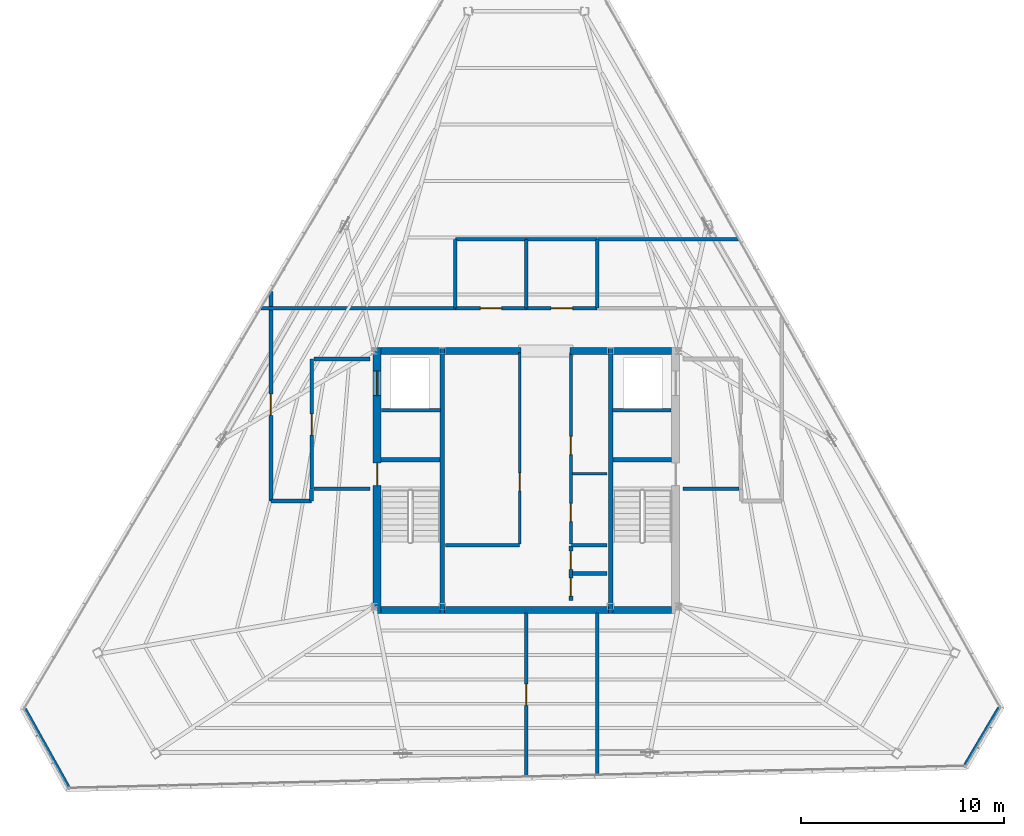
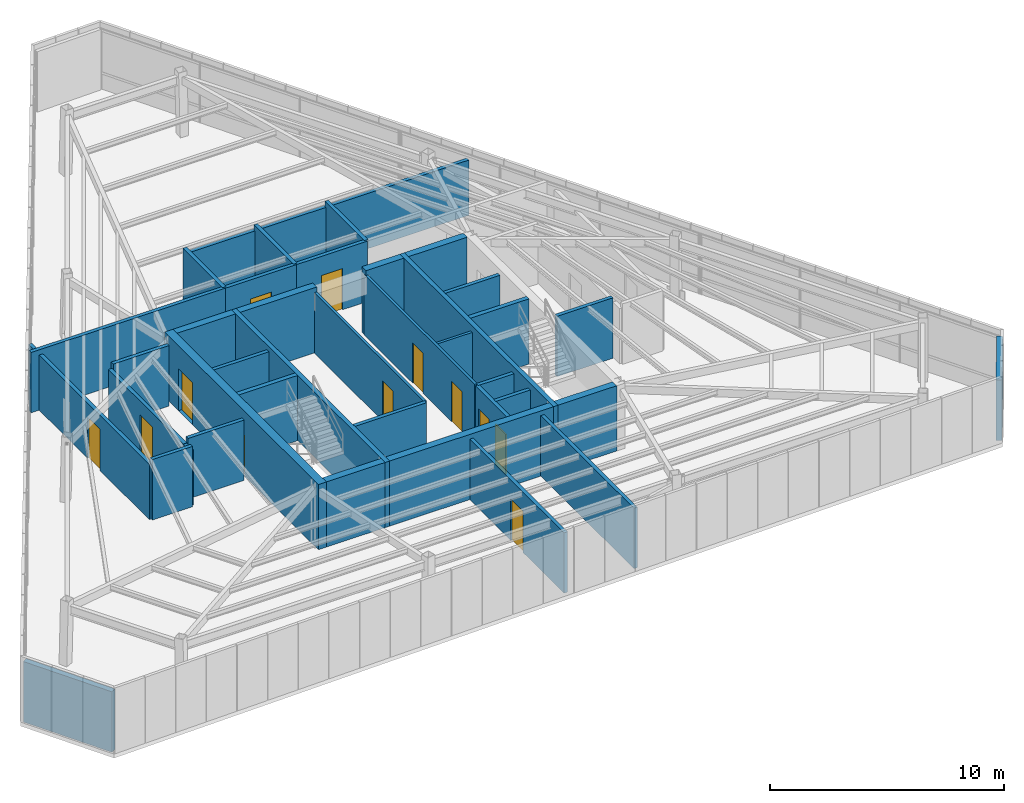
# One storey, part 40 of 44: 41 walls, 12 doors, 12 openings.
"""IFC4 building model written with IfcOpenShell, lengths in metres."""

from ifc_helpers import new_model, si_unit, direction, frame, frame_2d, origin, place, context, subcontext, project, spatial, rectangle, extrude, material, layer, layer_set, type_object, element, fill, save


model = new_model("IFC4")

# Units and contexts
model_context = context("Model", 3, precision=1e-05, world=origin(), true_north=direction((0.0, 1.0)))
body_context = subcontext(model_context, "Body", "Model", "MODEL_VIEW")
ifc_project = project(units=[si_unit("LENGTHUNIT", "METRE"), si_unit("AREAUNIT", "SQUARE_METRE"), si_unit("VOLUMEUNIT", "CUBIC_METRE"), si_unit("PLANEANGLEUNIT", "RADIAN"), si_unit("MASSUNIT", "GRAM", prefix="KILO")], contexts=[model_context])

# Site, building, storey
site_placement = place(None, origin())
site = spatial("IfcSite", under=ifc_project, at=site_placement, CompositionType="ELEMENT")
building_placement = place(site_placement, origin())
building = spatial("IfcBuilding", under=site, at=building_placement, Name="Caelisora Broadcast Tower", CompositionType="ELEMENT")
storey_placement = place(building_placement, frame((0.0, 0.0, 296.60009765625)))
storey = spatial("IfcBuildingStorey", under=building, at=storey_placement, Name="L78", CompositionType="ELEMENT", Elevation=296.60009765625)

# Wall, openings, doors
ifc_material_1 = material(Name="Concrete 40 MPa (AS 3600 N40)", Category="concrete")
ifc_layer_1 = layer(ifc_material_1, 0.39990234375, Name="Concrete 40 MPa (AS 3600 N40)")
ifc_layer_set_1 = layer_set([ifc_layer_1], Name="Concrete 40 MPa (AS 3600 N40)")
wall_type_1 = type_object("IfcWallType", Name="CW3", PredefinedType="SHEAR", material=ifc_layer_set_1)
wall_1_placement = place(storey_placement, frame((30.639892578125, 17.050048828125, 0.0), z_axis=(0.0, 0.0, 1.0), x_axis=(0.0, 1.0, 0.0)))
wall_1 = element("IfcWall", 1, at=wall_1_placement, inside=storey, type_object=wall_type_1, Name="L78 core shear wall CW3", PredefinedType="SHEAR", context=body_context, shape_type="SweptSolid", body=[
    extrude(rectangle(XDim=13.125, YDim=0.39990234375, at=frame_2d((6.5625, 0.0))), origin(), (0.0, 0.0, 1.0), 3.39990234375),
])
opening_1_placement = place(wall_1_placement, frame((6.300048828125, 0.0, 0.0)))
opening_1 = element("IfcOpeningElement", 2, at=opening_1_placement, cuts=wall_1, Name="Opening FD04", PredefinedType="OPENING", context=body_context, shape_type="SweptSolid", body=[
    extrude(rectangle(XDim=1.1201171875, YDim=2.14990234375, at=frame_2d((0.56005859375, 1.074951171875))), frame((0.0, 0.2119140625, 0.0), z_axis=(0.0, -1.0, 0.0), x_axis=(1.0, 0.0, 0.0)), (0.0, 0.0, 1.0), 0.423828125),
])
opening_2_placement = place(wall_1_placement, frame((10.75, 0.0, 0.0)))
opening_2 = element("IfcOpeningElement", 3, at=opening_2_placement, cuts=wall_1, Name="Opening LD04", PredefinedType="OPENING", context=body_context, shape_type="SweptSolid", body=[
    extrude(rectangle(XDim=1.199951171875, YDim=2.199951171875, at=frame_2d((0.60009765625, 1.10009765625))), frame((0.0, 0.2119140625, 0.0), z_axis=(0.0, -1.0, 0.0), x_axis=(1.0, 0.0, 0.0)), (0.0, 0.0, 1.0), 0.423828125),
])
ifc_material_2 = material(Name="Pressurised Fire-Isolated Stair Door", Category="steel")
door_type_1 = type_object("IfcDoorType", Name="FD04", OperationType="NOTDEFINED", PredefinedType="DOOR", material=ifc_material_2)
door_1_placement = place(opening_1_placement, origin())
door_1 = element("IfcDoor", 4, at=door_1_placement, inside=storey, type_object=door_type_1, Name="L78 door FD04 (L78-DR-ST1)", OperationType="SINGLE_SWING_LEFT", OverallHeight=2.14990234375, OverallWidth=1.1201171875, PredefinedType="DOOR", context=body_context, shape_type="SweptSolid", body=[
    extrude(rectangle(XDim=1.1201171875, YDim=2.14990234375, at=frame_2d((0.56005859375, 1.074951171875))), frame((0.0, 0.02490234375, 0.0), z_axis=(0.0, -1.0, 0.0), x_axis=(1.0, 0.0, 0.0)), (0.0, 0.0, 1.0), 0.050048828125),
])
fill(opening_1, door_1)
ifc_material_3 = material(Name="Emergency Firefighting Lift Sliding Landing Door", Category="steel")
door_type_2 = type_object("IfcDoorType", Name="LD04", OperationType="NOTDEFINED", PredefinedType="DOOR", material=ifc_material_3)
door_2_placement = place(opening_2_placement, origin())
door_2 = element("IfcDoor", 5, at=door_2_placement, inside=storey, type_object=door_type_2, Name="L78 door LD04 (L78-LD-FFL1)", OperationType="SLIDING_TO_LEFT", OverallHeight=2.199951171875, OverallWidth=1.199951171875, PredefinedType="DOOR", context=body_context, shape_type="SweptSolid", body=[
    extrude(rectangle(XDim=1.199951171875, YDim=2.199951171875, at=frame_2d((0.60009765625, 1.10009765625))), frame((0.0, 0.02490234375, 0.0), z_axis=(0.0, -1.0, 0.0), x_axis=(1.0, 0.0, 0.0)), (0.0, 0.0, 1.0), 0.050048828125),
])
fill(opening_2, door_2)

# Walls
ifc_layer_2 = layer(ifc_material_1, 0.35009765625, Name="Concrete 40 MPa (AS 3600 N40)")
ifc_layer_set_2 = layer_set([ifc_layer_2], Name="Concrete 40 MPa (AS 3600 N40)")
wall_type_2 = type_object("IfcWallType", Name="CW6", PredefinedType="SHEAR", material=ifc_layer_set_2)
wall_2_placement = place(storey_placement, frame((30.840087890625, 17.22509765625, 0.0), z_axis=(0.0, 0.0, 1.0), x_axis=(1.0, 0.0, 0.0)))
element("IfcWall", 6, at=wall_2_placement, inside=storey, type_object=wall_type_2, Name="L78 core shear wall CW6", PredefinedType="SHEAR", context=body_context, shape_type="SweptSolid", body=[
    extrude(rectangle(XDim=2.89990234375, YDim=0.35009765625, at=frame_2d((1.449951171875, 0.0))), origin(), (0.0, 0.0, 1.0), 3.39990234375),
])
wall_3_placement = place(storey_placement, frame((33.9599609375, 17.22509765625, 0.0), z_axis=(0.0, 0.0, 1.0), x_axis=(1.0, 0.0, 0.0)))
element("IfcWall", 7, at=wall_3_placement, inside=storey, type_object=wall_type_2, Name="L78 core shear wall CW6", PredefinedType="SHEAR", context=body_context, shape_type="SweptSolid", body=[
    extrude(rectangle(XDim=8.080078125, YDim=0.35009765625, at=frame_2d((4.0400390625, 0.0))), origin(), (0.0, 0.0, 1.0), 3.39990234375),
])
for number, where, z_axis, x_axis, name in (
    (8, (42.260009765625, 17.22509765625, 0.0), (0.0, 0.0, 1.0), (1.0, 0.0, 0.0), "L78 core shear wall CW6"),
    (9, (30.840087890625, 30.0, 0.0), (0.0, 0.0, 1.0), (1.0, 0.0, 0.0), "L78 core shear wall CW6"),
):
    element("IfcWall", number, at=place(storey_placement, frame(where, z_axis=z_axis, x_axis=x_axis)), inside=storey, type_object=wall_type_2, Name=name, PredefinedType="SHEAR", context=body_context, shape_type="SweptSolid", body=[
        extrude(rectangle(XDim=2.89990234375, YDim=0.35009765625, at=frame_2d((1.449951171875, 0.0))), origin(), (0.0, 0.0, 1.0), 3.39990234375),
    ])
wall_4_placement = place(storey_placement, frame((33.9599609375, 30.0, 0.0), z_axis=(0.0, 0.0, 1.0), x_axis=(1.0, 0.0, 0.0)))
element("IfcWall", 10, at=wall_4_placement, inside=storey, type_object=wall_type_2, Name="L78 core shear wall CW6", PredefinedType="SHEAR", context=body_context, shape_type="SweptSolid", body=[
    extrude(rectangle(XDim=3.780029296875, YDim=0.35009765625, at=frame_2d((1.89013671875, 0.0))), origin(), (0.0, 0.0, 1.0), 3.39990234375),
])
wall_5_placement = place(storey_placement, frame((40.159912109375, 30.0, 0.0), z_axis=(0.0, 0.0, 1.0), x_axis=(1.0, 0.0, 0.0)))
element("IfcWall", 11, at=wall_5_placement, inside=storey, type_object=wall_type_2, Name="L78 core shear wall CW6", PredefinedType="SHEAR", context=body_context, shape_type="SweptSolid", body=[
    extrude(rectangle(XDim=1.880126953125, YDim=0.35009765625, at=frame_2d((0.93994140625, 0.0))), origin(), (0.0, 0.0, 1.0), 3.39990234375),
])
wall_6_placement = place(storey_placement, frame((42.260009765625, 30.0, 0.0), z_axis=(0.0, 0.0, 1.0), x_axis=(1.0, 0.0, 0.0)))
element("IfcWall", 12, at=wall_6_placement, inside=storey, type_object=wall_type_2, Name="L78 core shear wall CW6", PredefinedType="SHEAR", context=body_context, shape_type="SweptSolid", body=[
    extrude(rectangle(XDim=2.89990234375, YDim=0.35009765625, at=frame_2d((1.449951171875, 0.0))), origin(), (0.0, 0.0, 1.0), 3.39990234375),
])
ifc_material_4 = material(Name="Concrete 50 MPa (AS 3600 S50)", Category="concrete")
ifc_layer_3 = layer(ifc_material_4, 0.219970703125, Name="Concrete 50 MPa (AS 3600 S50)")
ifc_layer_set_3 = layer_set([ifc_layer_3], Name="Concrete 50 MPa (AS 3600 S50)")
wall_type_3 = type_object("IfcWallType", Name="CW7", PredefinedType="SHEAR", material=ifc_layer_set_3)
for number, where, z_axis, x_axis, name in (
    (13, (33.85009765625, 17.050048828125, 0.0), (0.0, 0.0, 1.0), (0.0, 1.0, 0.0), "L78 core shear wall CW7"),
    (14, (42.14990234375, 17.050048828125, 0.0), (0.0, 0.0, 1.0), (0.0, 1.0, 0.0), "L78 core shear wall CW7"),
):
    element("IfcWall", number, at=place(storey_placement, frame(where, z_axis=z_axis, x_axis=x_axis)), inside=storey, type_object=wall_type_3, Name=name, PredefinedType="SHEAR", context=body_context, shape_type="SweptSolid", body=[
        extrude(rectangle(XDim=13.125, YDim=0.219970703125, at=frame_2d((6.5625, 0.0))), origin(), (0.0, 0.0, 1.0), 3.39990234375),
    ])
for number, where, z_axis, x_axis, name in (
    (15, (30.840087890625, 24.639892578125, 0.0), (0.0, 0.0, 1.0), (1.0, 0.0, 0.0), "L78 core shear wall CW7"),
    (16, (42.260009765625, 24.639892578125, 0.0), (0.0, 0.0, 1.0), (1.0, 0.0, 0.0), "L78 core shear wall CW7"),
):
    element("IfcWall", number, at=place(storey_placement, frame(where, z_axis=z_axis, x_axis=x_axis)), inside=storey, type_object=wall_type_3, Name=name, PredefinedType="SHEAR", context=body_context, shape_type="SweptSolid", body=[
        extrude(rectangle(XDim=2.89990234375, YDim=0.219970703125, at=frame_2d((1.449951171875, 0.0))), origin(), (0.0, 0.0, 1.0), 3.39990234375),
    ])
ifc_material_5 = material(Name="Fire-Rated Acoustic Plant Enclosure Wall", Category="masonry")
ifc_layer_4 = layer(ifc_material_5, 0.260009765625, Name="Fire-Rated Acoustic Plant Enclosure Wall")
ifc_layer_set_4 = layer_set([ifc_layer_4], Name="Fire-Rated Acoustic Plant Enclosure Wall")
wall_type_4 = type_object("IfcWallType", Name="EW2", PredefinedType="STANDARD", material=ifc_layer_set_4)
wall_7_placement = place(storey_placement, frame((61.3505859375, 12.373291015625, 0.0), z_axis=(0.0, 0.0, 1.0), x_axis=(-0.50889258799, -0.860830026131, 0.0)))
element("IfcWall", 17, at=wall_7_placement, inside=storey, type_object=wall_type_4, Name="L78 exterior envelope wall EW2", PredefinedType="STANDARD", context=body_context, shape_type="SweptSolid", body=[
    extrude(rectangle(XDim=3.274169921875, YDim=0.260009765625, at=frame_2d((1.63720703125, 0.0))), origin(), (0.0, 0.0, 1.0), 3.14990234375),
])
wall_8_placement = place(storey_placement, frame((15.37939453125, 8.460205078125, 0.0), z_axis=(0.0, 0.0, 1.0), x_axis=(-0.487211144221, 0.873284203995, 0.0)))
element("IfcWall", 18, at=wall_8_placement, inside=storey, type_object=wall_type_4, Name="L78 exterior envelope wall EW2", PredefinedType="STANDARD", context=body_context, shape_type="SweptSolid", body=[
    extrude(rectangle(XDim=4.41259765625, YDim=0.260009765625, at=frame_2d((2.206298828125, 0.0))), origin(), (0.0, 0.0, 1.0), 3.14990234375),
])

# Wall, opening, door
ifc_material_6 = material(Name="Fire-Rated Gypsum Shaft and Compartment Wall", Category="gypsum")
ifc_layer_5 = layer(ifc_material_6, 0.179931640625, Name="Fire-Rated Gypsum Shaft and Compartment Wall")
ifc_layer_set_5 = layer_set([ifc_layer_5], Name="Fire-Rated Gypsum Shaft and Compartment Wall")
wall_type_5 = type_object("IfcWallType", Name="PW2", PredefinedType="PARTITIONING", material=ifc_layer_set_5)
wall_9_placement = place(storey_placement, frame((27.419921875, 23.199951171875, 0.0), z_axis=(0.0, 0.0, 1.0), x_axis=(0.0, 1.0, 0.0)))
wall_9 = element("IfcWall", 19, at=wall_9_placement, inside=storey, type_object=wall_type_5, Name="L78 fire compartment wall PW2", PredefinedType="PARTITIONING", context=body_context, shape_type="SweptSolid", body=[
    extrude(rectangle(XDim=6.400146484375, YDim=0.179931640625, at=frame_2d((3.2001953125, 0.0))), origin(), (0.0, 0.0, 1.0), 2.878662109375),
])
opening_3_placement = place(wall_9_placement, frame((2.64990234375, 0.0, 0.0)))
opening_3 = element("IfcOpeningElement", 20, at=opening_3_placement, cuts=wall_9, Name="Opening FD02", PredefinedType="OPENING", context=body_context, shape_type="SweptSolid", body=[
    extrude(rectangle(XDim=1.050048828125, YDim=2.14990234375, at=frame_2d((0.52490234375, 1.074951171875))), frame((0.0, 0.10205078125, 0.0), z_axis=(0.0, -1.0, 0.0), x_axis=(1.0, 0.0, 0.0)), (0.0, 0.0, 1.0), 0.203857421875),
])
ifc_material_7 = material(Name="Single-Leaf Steel Fire Lobby Door", Category="steel")
door_type_3 = type_object("IfcDoorType", Name="FD02", OperationType="NOTDEFINED", PredefinedType="DOOR", material=ifc_material_7)
door_3_placement = place(opening_3_placement, origin())
door_3 = element("IfcDoor", 21, at=door_3_placement, inside=storey, type_object=door_type_3, Name="L78 door FD02 (L78-DR-P01D1)", OperationType="SINGLE_SWING_LEFT", OverallHeight=2.14990234375, OverallWidth=1.050048828125, PredefinedType="DOOR", context=body_context, shape_type="SweptSolid", body=[
    extrude(rectangle(XDim=1.050048828125, YDim=2.14990234375, at=frame_2d((0.52490234375, 1.074951171875))), frame((0.0, 0.02490234375, 0.0), z_axis=(0.0, -1.0, 0.0), x_axis=(1.0, 0.0, 0.0)), (0.0, 0.0, 1.0), 0.050048828125),
])
fill(opening_3, door_3)

# Walls
for number, where, z_axis, x_axis, name in (
    (22, (27.52001953125, 23.199951171875, 0.0), (0.0, 0.0, 1.0), (1.0, 0.0, 0.0), "L78 fire compartment wall PW2"),
    (23, (27.52001953125, 29.60009765625, 0.0), (0.0, 0.0, 1.0), (1.0, 0.0, 0.0), "L78 fire compartment wall PW2"),
    (24, (45.719970703125, 23.199951171875, 0.0), (0.0, 0.0, 1.0), (1.0, 0.0, 0.0), "L78 fire compartment wall PW2"),
):
    element("IfcWall", number, at=place(storey_placement, frame(where, z_axis=z_axis, x_axis=x_axis)), inside=storey, type_object=wall_type_5, Name=name, PredefinedType="PARTITIONING", context=body_context, shape_type="SweptSolid", body=[
        extrude(rectangle(XDim=2.760009765625, YDim=0.179931640625, at=frame_2d((1.3798828125, 0.0))), origin(), (0.0, 0.0, 1.0), 3.14990234375),
    ])
for number, where, z_axis, x_axis, name in (
    (25, (30.860107421875, 27.070068359375, 0.0), (0.0, 0.0, 1.0), (1.0, 0.0, 0.0), "L78 fire compartment wall PW2"),
    (26, (42.239990234375, 27.070068359375, 0.0), (0.0, 0.0, 1.0), (1.0, 0.0, 0.0), "L78 fire compartment wall PW2"),
):
    element("IfcWall", number, at=place(storey_placement, frame(where, z_axis=z_axis, x_axis=x_axis)), inside=storey, type_object=wall_type_5, Name=name, PredefinedType="PARTITIONING", context=body_context, shape_type="SweptSolid", body=[
        extrude(rectangle(XDim=2.89990234375, YDim=0.179931640625, at=frame_2d((1.449951171875, 0.0))), origin(), (0.0, 0.0, 1.0), 3.14990234375),
    ])
wall_10_placement = place(storey_placement, frame((34.02001953125, 20.419921875, 0.0), z_axis=(0.0, 0.0, 1.0), x_axis=(1.0, 0.0, 0.0)))
element("IfcWall", 27, at=wall_10_placement, inside=storey, type_object=wall_type_5, Name="L78 fire compartment wall PW2", PredefinedType="PARTITIONING", context=body_context, shape_type="SweptSolid", body=[
    extrude(rectangle(XDim=3.639892578125, YDim=0.179931640625, at=frame_2d((1.81982421875, 0.0))), origin(), (0.0, 0.0, 1.0), 3.14990234375),
])
wall_11_placement = place(storey_placement, frame((40.219970703125, 20.419921875, 0.0), z_axis=(0.0, 0.0, 1.0), x_axis=(1.0, 0.0, 0.0)))
element("IfcWall", 28, at=wall_11_placement, inside=storey, type_object=wall_type_5, Name="L78 fire compartment wall PW2", PredefinedType="PARTITIONING", context=body_context, shape_type="SweptSolid", body=[
    extrude(rectangle(XDim=1.760009765625, YDim=0.179931640625, at=frame_2d((0.8798828125, 0.0))), origin(), (0.0, 0.0, 1.0), 3.14990234375),
])
wall_12_placement = place(storey_placement, frame((40.280029296875, 19.02001953125, 0.0), z_axis=(0.0, 0.0, 1.0), x_axis=(1.0, 0.0, 0.0)))
element("IfcWall", 29, at=wall_12_placement, inside=storey, type_object=wall_type_5, Name="L78 fire compartment wall PW2", PredefinedType="PARTITIONING", context=body_context, shape_type="SweptSolid", body=[
    extrude(rectangle(XDim=1.699951171875, YDim=0.179931640625, at=frame_2d((0.85009765625, 0.0))), origin(), (0.0, 0.0, 1.0), 3.14990234375),
])

# Wall, openings, doors
wall_13_placement = place(storey_placement, frame((40.199951171875, 17.679931640625, 0.0), z_axis=(0.0, 0.0, 1.0), x_axis=(0.0, 1.0, 0.0)))
wall_13 = element("IfcWall", 30, at=wall_13_placement, inside=storey, type_object=wall_type_5, Name="L78 fire compartment wall PW2", PredefinedType="PARTITIONING", context=body_context, shape_type="SweptSolid", body=[
    extrude(rectangle(XDim=2.699951171875, YDim=0.179931640625, at=frame_2d((1.35009765625, 0.0))), origin(), (0.0, 0.0, 1.0), 3.14990234375),
])
opening_4_placement = place(wall_13_placement, frame((0.219970703125, 0.0, 0.0)))
opening_4 = element("IfcOpeningElement", 31, at=opening_4_placement, cuts=wall_13, Name="Opening FD03", PredefinedType="OPENING", context=body_context, shape_type="SweptSolid", body=[
    extrude(rectangle(XDim=0.89990234375, YDim=2.10009765625, at=frame_2d((0.449951171875, 1.050048828125))), frame((0.0, 0.10205078125, 0.0), z_axis=(0.0, -1.0, 0.0), x_axis=(1.0, 0.0, 0.0)), (0.0, 0.0, 1.0), 0.203857421875),
])
opening_5_placement = place(wall_13_placement, frame((1.5400390625, 0.0, 0.0)))
opening_5 = element("IfcOpeningElement", 32, at=opening_5_placement, cuts=wall_13, Name="Opening FD03", PredefinedType="OPENING", context=body_context, shape_type="SweptSolid", body=[
    extrude(rectangle(XDim=0.89990234375, YDim=2.10009765625, at=frame_2d((0.449951171875, 1.050048828125))), frame((0.0, 0.10205078125, 0.0), z_axis=(0.0, -1.0, 0.0), x_axis=(1.0, 0.0, 0.0)), (0.0, 0.0, 1.0), 0.203857421875),
])
ifc_material_8 = material(Name="Single-Leaf Steel Riser Fire Access Door", Category="steel")
door_type_4 = type_object("IfcDoorType", Name="FD03", OperationType="NOTDEFINED", PredefinedType="DOOR", material=ifc_material_8)
door_4_placement = place(opening_4_placement, origin())
door_4 = element("IfcDoor", 33, at=door_4_placement, inside=storey, type_object=door_type_4, Name="L78 door FD03 (L78-DR-P15D1)", OperationType="SINGLE_SWING_RIGHT", OverallHeight=2.10009765625, OverallWidth=0.89990234375, PredefinedType="DOOR", context=body_context, shape_type="SweptSolid", body=[
    extrude(rectangle(XDim=0.89990234375, YDim=2.10009765625, at=frame_2d((0.449951171875, 1.050048828125))), frame((0.0, 0.02490234375, 0.0), z_axis=(0.0, -1.0, 0.0), x_axis=(1.0, 0.0, 0.0)), (0.0, 0.0, 1.0), 0.050048828125),
])
fill(opening_4, door_4)
door_5_placement = place(opening_5_placement, origin())
door_5 = element("IfcDoor", 34, at=door_5_placement, inside=storey, type_object=door_type_4, Name="L78 door FD03 (L78-DR-P15D2)", OperationType="SINGLE_SWING_LEFT", OverallHeight=2.10009765625, OverallWidth=0.89990234375, PredefinedType="DOOR", context=body_context, shape_type="SweptSolid", body=[
    extrude(rectangle(XDim=0.89990234375, YDim=2.10009765625, at=frame_2d((0.449951171875, 1.050048828125))), frame((0.0, 0.02490234375, 0.0), z_axis=(0.0, -1.0, 0.0), x_axis=(1.0, 0.0, 0.0)), (0.0, 0.0, 1.0), 0.050048828125),
])
fill(opening_5, door_5)

# Wall, opening, door
wall_14_placement = place(storey_placement, frame((25.39990234375, 22.60498046875, 0.0), z_axis=(0.0, 0.0, 1.0), x_axis=(0.0, 1.0, 0.0)))
wall_14 = element("IfcWall", 35, at=wall_14_placement, inside=storey, type_object=wall_type_5, Name="L78 fire compartment wall PW2", PredefinedType="PARTITIONING", context=body_context, shape_type="SweptSolid", body=[
    extrude(rectangle(XDim=10.331298828125, YDim=0.179931640625, at=frame_2d((5.16552734375, 0.0))), origin(), (0.0, 0.0, 1.0), 2.878662109375),
])
opening_6_placement = place(wall_14_placement, frame((4.219970703125, 0.0, 0.0)))
opening_6 = element("IfcOpeningElement", 36, at=opening_6_placement, cuts=wall_14, Name="Opening FD02", PredefinedType="OPENING", context=body_context, shape_type="SweptSolid", body=[
    extrude(rectangle(XDim=1.050048828125, YDim=2.14990234375, at=frame_2d((0.52490234375, 1.074951171875))), frame((0.0, 0.10205078125, 0.0), z_axis=(0.0, -1.0, 0.0), x_axis=(1.0, 0.0, 0.0)), (0.0, 0.0, 1.0), 0.203857421875),
])
door_6_placement = place(opening_6_placement, origin())
door_6 = element("IfcDoor", 37, at=door_6_placement, inside=storey, type_object=door_type_3, Name="L78 door FD02 (L78-DR-P16D1)", OperationType="SINGLE_SWING_RIGHT", OverallHeight=2.14990234375, OverallWidth=1.050048828125, PredefinedType="DOOR", context=body_context, shape_type="SweptSolid", body=[
    extrude(rectangle(XDim=1.050048828125, YDim=2.14990234375, at=frame_2d((0.52490234375, 1.074951171875))), frame((0.0, 0.02490234375, 0.0), z_axis=(0.0, -1.0, 0.0), x_axis=(1.0, 0.0, 0.0)), (0.0, 0.0, 1.0), 0.050048828125),
])
fill(opening_6, door_6)

# Wall
wall_15_placement = place(storey_placement, frame((24.913818359375, 32.10009765625, 0.0), z_axis=(0.0, 0.0, 1.0), x_axis=(1.0, 0.0, 0.0)))
element("IfcWall", 38, at=wall_15_placement, inside=storey, type_object=wall_type_5, Name="L78 fire compartment wall PW2", PredefinedType="PARTITIONING", context=body_context, shape_type="SweptSolid", body=[
    extrude(rectangle(XDim=9.581298828125, YDim=0.179931640625, at=frame_2d((4.79052734375, 0.0))), origin(), (0.0, 0.0, 1.0), 3.14990234375),
])

# Wall, opening, door
wall_16_placement = place(storey_placement, frame((38.0, 9.0, 0.0), z_axis=(0.0, 0.0, 1.0), x_axis=(0.0, 1.0, 0.0)))
wall_16 = element("IfcWall", 39, at=wall_16_placement, inside=storey, type_object=wall_type_5, Name="L78 fire compartment wall PW2", PredefinedType="PARTITIONING", context=body_context, shape_type="SweptSolid", body=[
    extrude(rectangle(XDim=8.074951171875, YDim=0.179931640625, at=frame_2d((4.03759765625, 0.0))), origin(), (0.0, 0.0, 1.0), 3.14990234375),
])
opening_7_placement = place(wall_16_placement, frame((3.511962890625, 0.0, 0.0)))
opening_7 = element("IfcOpeningElement", 40, at=opening_7_placement, cuts=wall_16, Name="Opening FD02", PredefinedType="OPENING", context=body_context, shape_type="SweptSolid", body=[
    extrude(rectangle(XDim=1.050048828125, YDim=2.14990234375, at=frame_2d((0.52490234375, 1.074951171875))), frame((0.0, 0.10205078125, 0.0), z_axis=(0.0, -1.0, 0.0), x_axis=(1.0, 0.0, 0.0)), (0.0, 0.0, 1.0), 0.203857421875),
])
door_7_placement = place(opening_7_placement, origin())
door_7 = element("IfcDoor", 41, at=door_7_placement, inside=storey, type_object=door_type_3, Name="L78 door FD02 (L78-DR-P20D1)", OperationType="SINGLE_SWING_LEFT", OverallHeight=2.14990234375, OverallWidth=1.050048828125, PredefinedType="DOOR", context=body_context, shape_type="SweptSolid", body=[
    extrude(rectangle(XDim=1.050048828125, YDim=2.14990234375, at=frame_2d((0.52490234375, 1.074951171875))), frame((0.0, 0.02490234375, 0.0), z_axis=(0.0, -1.0, 0.0), x_axis=(1.0, 0.0, 0.0)), (0.0, 0.0, 1.0), 0.050048828125),
])
fill(opening_7, door_7)

# Walls
wall_17_placement = place(storey_placement, frame((41.5, 9.090087890625, 0.0), z_axis=(0.0, 0.0, 1.0), x_axis=(0.0, 1.0, 0.0)))
element("IfcWall", 42, at=wall_17_placement, inside=storey, type_object=wall_type_5, Name="L78 fire compartment wall PW2", PredefinedType="PARTITIONING", context=body_context, shape_type="SweptSolid", body=[
    extrude(rectangle(XDim=7.98486328125, YDim=0.179931640625, at=frame_2d((3.992431640625, 0.0))), origin(), (0.0, 0.0, 1.0), 3.14990234375),
])
wall_18_placement = place(storey_placement, frame((41.5048828125, 35.5, 0.0), z_axis=(0.0, 0.0, 1.0), x_axis=(1.0, 0.0, 0.0)))
element("IfcWall", 43, at=wall_18_placement, inside=storey, type_object=wall_type_5, Name="L78 fire compartment wall PW2", PredefinedType="PARTITIONING", context=body_context, shape_type="SweptSolid", body=[
    extrude(rectangle(XDim=6.955078125, YDim=0.179931640625, at=frame_2d((3.4775390625, 0.0))), origin(), (0.0, 0.0, 1.0), 2.878662109375),
])

# Wall, opening, door
wall_19_placement = place(storey_placement, frame((34.5048828125, 32.10009765625, 0.0), z_axis=(0.0, 0.0, 1.0), x_axis=(1.0, 0.0, 0.0)))
wall_19 = element("IfcWall", 44, at=wall_19_placement, inside=storey, type_object=wall_type_5, Name="L78 fire compartment wall PW2", PredefinedType="PARTITIONING", context=body_context, shape_type="SweptSolid", body=[
    extrude(rectangle(XDim=3.490234375, YDim=0.179931640625, at=frame_2d((1.7451171875, 0.0))), origin(), (0.0, 0.0, 1.0), 3.14990234375),
])
opening_8_placement = place(wall_19_placement, frame((1.219970703125, 0.0, 0.0)))
opening_8 = element("IfcOpeningElement", 45, at=opening_8_placement, cuts=wall_19, Name="Opening FD02", PredefinedType="OPENING", context=body_context, shape_type="SweptSolid", body=[
    extrude(rectangle(XDim=1.050048828125, YDim=2.14990234375, at=frame_2d((0.52490234375, 1.074951171875))), frame((0.0, 0.10205078125, 0.0), z_axis=(0.0, -1.0, 0.0), x_axis=(1.0, 0.0, 0.0)), (0.0, 0.0, 1.0), 0.203857421875),
])
door_8_placement = place(opening_8_placement, origin())
door_8 = element("IfcDoor", 46, at=door_8_placement, inside=storey, type_object=door_type_3, Name="L78 door FD02 (L78-DR-P23D1)", OperationType="SINGLE_SWING_RIGHT", OverallHeight=2.14990234375, OverallWidth=1.050048828125, PredefinedType="DOOR", context=body_context, shape_type="SweptSolid", body=[
    extrude(rectangle(XDim=1.050048828125, YDim=2.14990234375, at=frame_2d((0.52490234375, 1.074951171875))), frame((0.0, 0.02490234375, 0.0), z_axis=(0.0, -1.0, 0.0), x_axis=(1.0, 0.0, 0.0)), (0.0, 0.0, 1.0), 0.050048828125),
])
fill(opening_8, door_8)

wall_20_placement = place(storey_placement, frame((38.0048828125, 32.10009765625, 0.0), z_axis=(0.0, 0.0, 1.0), x_axis=(1.0, 0.0, 0.0)))
wall_20 = element("IfcWall", 47, at=wall_20_placement, inside=storey, type_object=wall_type_5, Name="L78 fire compartment wall PW2", PredefinedType="PARTITIONING", context=body_context, shape_type="SweptSolid", body=[
    extrude(rectangle(XDim=3.490234375, YDim=0.179931640625, at=frame_2d((1.7451171875, 0.0))), origin(), (0.0, 0.0, 1.0), 3.14990234375),
])
opening_9_placement = place(wall_20_placement, frame((1.219970703125, 0.0, 0.0)))
opening_9 = element("IfcOpeningElement", 48, at=opening_9_placement, cuts=wall_20, Name="Opening FD02", PredefinedType="OPENING", context=body_context, shape_type="SweptSolid", body=[
    extrude(rectangle(XDim=1.050048828125, YDim=2.14990234375, at=frame_2d((0.52490234375, 1.074951171875))), frame((0.0, 0.10205078125, 0.0), z_axis=(0.0, -1.0, 0.0), x_axis=(1.0, 0.0, 0.0)), (0.0, 0.0, 1.0), 0.203857421875),
])
door_9_placement = place(opening_9_placement, origin())
door_9 = element("IfcDoor", 49, at=door_9_placement, inside=storey, type_object=door_type_3, Name="L78 door FD02 (L78-DR-P24D1)", OperationType="SINGLE_SWING_LEFT", OverallHeight=2.14990234375, OverallWidth=1.050048828125, PredefinedType="DOOR", context=body_context, shape_type="SweptSolid", body=[
    extrude(rectangle(XDim=1.050048828125, YDim=2.14990234375, at=frame_2d((0.52490234375, 1.074951171875))), frame((0.0, 0.02490234375, 0.0), z_axis=(0.0, -1.0, 0.0), x_axis=(1.0, 0.0, 0.0)), (0.0, 0.0, 1.0), 0.050048828125),
])
fill(opening_9, door_9)

# Walls
for number, where, z_axis, x_axis, name in (
    (50, (38.0048828125, 35.5, 0.0), (0.0, 0.0, 1.0), (1.0, 0.0, 0.0), "L78 fire compartment wall PW2"),
    (51, (34.5048828125, 35.5, 0.0), (0.0, 0.0, 1.0), (1.0, 0.0, 0.0), "L78 fire compartment wall PW2"),
):
    element("IfcWall", number, at=place(storey_placement, frame(where, z_axis=z_axis, x_axis=x_axis)), inside=storey, type_object=wall_type_5, Name=name, PredefinedType="PARTITIONING", context=body_context, shape_type="SweptSolid", body=[
        extrude(rectangle(XDim=3.490234375, YDim=0.179931640625, at=frame_2d((1.7451171875, 0.0))), origin(), (0.0, 0.0, 1.0), 2.878662109375),
    ])
for number, where, z_axis, x_axis, name in (
    (52, (34.5, 32.10498046875, 0.0), (0.0, 0.0, 1.0), (0.0, 1.0, 0.0), "L78 fire compartment wall PW2"),
    (53, (38.0, 32.10498046875, 0.0), (0.0, 0.0, 1.0), (0.0, 1.0, 0.0), "L78 fire compartment wall PW2"),
    (54, (41.5, 32.10498046875, 0.0), (0.0, 0.0, 1.0), (0.0, 1.0, 0.0), "L78 fire compartment wall PW2"),
):
    element("IfcWall", number, at=place(storey_placement, frame(where, z_axis=z_axis, x_axis=x_axis)), inside=storey, type_object=wall_type_5, Name=name, PredefinedType="PARTITIONING", context=body_context, shape_type="SweptSolid", body=[
        extrude(rectangle(XDim=3.39013671875, YDim=0.179931640625, at=frame_2d((1.695068359375, 0.0))), origin(), (0.0, 0.0, 1.0), 3.14990234375),
    ])
wall_21_placement = place(storey_placement, frame((27.39501953125, 22.60009765625, 0.0), z_axis=(0.0, 0.0, 1.0), x_axis=(-1.0, 0.0, 0.0)))
element("IfcWall", 55, at=wall_21_placement, inside=storey, type_object=wall_type_5, Name="L78 fire compartment wall PW2", PredefinedType="PARTITIONING", context=body_context, shape_type="SweptSolid", body=[
    extrude(rectangle(XDim=1.989990234375, YDim=0.179931640625, at=frame_2d((0.9951171875, 0.0))), origin(), (0.0, 0.0, 1.0), 3.14990234375),
])
wall_22_placement = place(storey_placement, frame((27.39990234375, 23.175048828125, 0.0), z_axis=(0.0, 0.0, 1.0), x_axis=(0.0, -1.0, 0.0)))
element("IfcWall", 56, at=wall_22_placement, inside=storey, type_object=wall_type_5, Name="L78 fire compartment wall PW2", PredefinedType="PARTITIONING", context=body_context, shape_type="SweptSolid", body=[
    extrude(rectangle(XDim=0.570068359375, YDim=0.179931640625, at=frame_2d((0.28515625, 0.0))), origin(), (0.0, 0.0, 1.0), 2.878662109375),
])
ifc_material_9 = material(Name="Acoustic Steel-Stud Plasterboard Partition", Category="gypsum")
ifc_layer_6 = layer(ifc_material_9, 0.1298828125, Name="Acoustic Steel-Stud Plasterboard Partition")
ifc_layer_set_6 = layer_set([ifc_layer_6], Name="Acoustic Steel-Stud Plasterboard Partition")
wall_type_6 = type_object("IfcWallType", Name="PW3", PredefinedType="PARTITIONING", material=ifc_layer_set_6)
wall_23_placement = place(storey_placement, frame((40.280029296875, 23.949951171875, 0.0), z_axis=(0.0, 0.0, 1.0), x_axis=(1.0, 0.0, 0.0)))
element("IfcWall", 57, at=wall_23_placement, inside=storey, type_object=wall_type_6, Name="L78 internal partition PW3", PredefinedType="PARTITIONING", context=body_context, shape_type="SweptSolid", body=[
    extrude(rectangle(XDim=1.699951171875, YDim=0.1298828125, at=frame_2d((0.85009765625, 0.0))), origin(), (0.0, 0.0, 1.0), 3.14990234375),
])

# Wall, opening, door
wall_24_placement = place(storey_placement, frame((37.679931640625, 20.47998046875, 0.0), z_axis=(0.0, 0.0, 1.0), x_axis=(0.0, 1.0, 0.0)))
wall_24 = element("IfcWall", 58, at=wall_24_placement, inside=storey, type_object=wall_type_6, Name="L78 internal partition PW3", PredefinedType="PARTITIONING", context=body_context, shape_type="SweptSolid", body=[
    extrude(rectangle(XDim=9.43994140625, YDim=0.1298828125, at=frame_2d((4.719970703125, 0.0))), origin(), (0.0, 0.0, 1.0), 3.14990234375),
])
opening_10_placement = place(wall_24_placement, frame((2.60009765625, 0.0, 0.0)))
opening_10 = element("IfcOpeningElement", 59, at=opening_10_placement, cuts=wall_24, Name="Opening FD03", PredefinedType="OPENING", context=body_context, shape_type="SweptSolid", body=[
    extrude(rectangle(XDim=0.89990234375, YDim=2.10009765625, at=frame_2d((0.449951171875, 1.050048828125))), frame((0.0, 0.076904296875, 0.0), z_axis=(0.0, -1.0, 0.0), x_axis=(1.0, 0.0, 0.0)), (0.0, 0.0, 1.0), 0.15380859375),
])
door_10_placement = place(opening_10_placement, origin())
door_10 = element("IfcDoor", 60, at=door_10_placement, inside=storey, type_object=door_type_4, Name="L78 door FD03 (L78-DR-P12D1)", OperationType="SINGLE_SWING_LEFT", OverallHeight=2.10009765625, OverallWidth=0.89990234375, PredefinedType="DOOR", context=body_context, shape_type="SweptSolid", body=[
    extrude(rectangle(XDim=0.89990234375, YDim=2.10009765625, at=frame_2d((0.449951171875, 1.050048828125))), frame((0.0, 0.02490234375, 0.0), z_axis=(0.0, -1.0, 0.0), x_axis=(1.0, 0.0, 0.0)), (0.0, 0.0, 1.0), 0.050048828125),
])
fill(opening_10, door_10)

# Wall, openings, doors
wall_25_placement = place(storey_placement, frame((40.199951171875, 20.47998046875, 0.0), z_axis=(0.0, 0.0, 1.0), x_axis=(0.0, 1.0, 0.0)))
wall_25 = element("IfcWall", 61, at=wall_25_placement, inside=storey, type_object=wall_type_6, Name="L78 internal partition PW3", PredefinedType="PARTITIONING", context=body_context, shape_type="SweptSolid", body=[
    extrude(rectangle(XDim=9.43994140625, YDim=0.1298828125, at=frame_2d((4.719970703125, 0.0))), origin(), (0.0, 0.0, 1.0), 3.14990234375),
])
opening_11_placement = place(wall_25_placement, frame((1.10009765625, 0.0, 0.0)))
opening_11 = element("IfcOpeningElement", 62, at=opening_11_placement, cuts=wall_25, Name="Opening FD03", PredefinedType="OPENING", context=body_context, shape_type="SweptSolid", body=[
    extrude(rectangle(XDim=0.89990234375, YDim=2.10009765625, at=frame_2d((0.449951171875, 1.050048828125))), frame((0.0, 0.076904296875, 0.0), z_axis=(0.0, -1.0, 0.0), x_axis=(1.0, 0.0, 0.0)), (0.0, 0.0, 1.0), 0.15380859375),
])
opening_12_placement = place(wall_25_placement, frame((4.39990234375, 0.0, 0.0)))
opening_12 = element("IfcOpeningElement", 63, at=opening_12_placement, cuts=wall_25, Name="Opening FD03", PredefinedType="OPENING", context=body_context, shape_type="SweptSolid", body=[
    extrude(rectangle(XDim=0.89990234375, YDim=2.10009765625, at=frame_2d((0.449951171875, 1.050048828125))), frame((0.0, 0.076904296875, 0.0), z_axis=(0.0, -1.0, 0.0), x_axis=(1.0, 0.0, 0.0)), (0.0, 0.0, 1.0), 0.15380859375),
])
door_11_placement = place(opening_11_placement, origin())
door_11 = element("IfcDoor", 64, at=door_11_placement, inside=storey, type_object=door_type_4, Name="L78 door FD03 (L78-DR-P13D1)", OperationType="SINGLE_SWING_RIGHT", OverallHeight=2.10009765625, OverallWidth=0.89990234375, PredefinedType="DOOR", context=body_context, shape_type="SweptSolid", body=[
    extrude(rectangle(XDim=0.89990234375, YDim=2.10009765625, at=frame_2d((0.449951171875, 1.050048828125))), frame((0.0, 0.02490234375, 0.0), z_axis=(0.0, -1.0, 0.0), x_axis=(1.0, 0.0, 0.0)), (0.0, 0.0, 1.0), 0.050048828125),
])
fill(opening_11, door_11)
door_12_placement = place(opening_12_placement, origin())
door_12 = element("IfcDoor", 65, at=door_12_placement, inside=storey, type_object=door_type_4, Name="L78 door FD03 (L78-DR-P13D2)", OperationType="SINGLE_SWING_LEFT", OverallHeight=2.10009765625, OverallWidth=0.89990234375, PredefinedType="DOOR", context=body_context, shape_type="SweptSolid", body=[
    extrude(rectangle(XDim=0.89990234375, YDim=2.10009765625, at=frame_2d((0.449951171875, 1.050048828125))), frame((0.0, 0.02490234375, 0.0), z_axis=(0.0, -1.0, 0.0), x_axis=(1.0, 0.0, 0.0)), (0.0, 0.0, 1.0), 0.050048828125),
])
fill(opening_12, door_12)

save(model, "model.ifc")
